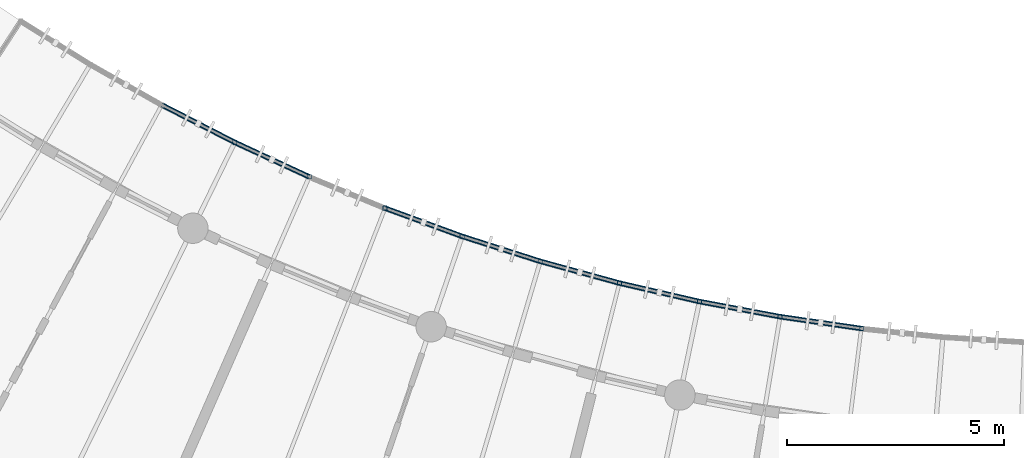
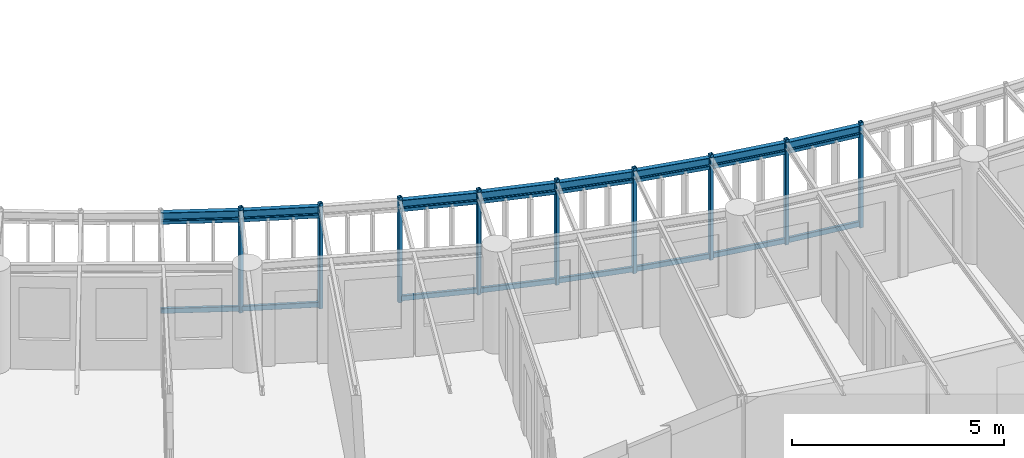
# One storey, part 20 of 137: 25 members, 8 beams.
"""IFC4 building model written with IfcOpenShell, lengths in metres."""

from ifc_helpers import new_model, si_unit, direction, frame, origin, origin_2d, place, context, subcontext, project, spatial, hollow_rectangle, i_section, extrude, material, material_profile, profile_set, type_object, element, save


model = new_model("IFC4")

# Units and contexts
model_context = context("Model", 3, precision=1e-05, world=origin(), true_north=direction((0.0, 1.0)))
body_context = subcontext(model_context, "Body", "Model", "MODEL_VIEW")
ifc_project = project(units=[si_unit("LENGTHUNIT", "METRE"), si_unit("AREAUNIT", "SQUARE_METRE"), si_unit("VOLUMEUNIT", "CUBIC_METRE"), si_unit("PLANEANGLEUNIT", "RADIAN"), si_unit("MASSUNIT", "GRAM", prefix="KILO"), si_unit("POWERUNIT", "WATT"), si_unit("THERMODYNAMICTEMPERATUREUNIT", "KELVIN")], contexts=[model_context])

# Site, building, storey
site_placement = place(None, origin())
site = spatial("IfcSite", under=ifc_project, at=site_placement, CompositionType="ELEMENT")
building_placement = place(site_placement, origin())
building = spatial("IfcBuilding", under=site, at=building_placement, Name="Ruvembo Vaulted Housing Court", CompositionType="ELEMENT")
storey_placement = place(building_placement, frame((0.0, 0.0, 4.5)))
storey = spatial("IfcBuildingStorey", under=building, at=storey_placement, Name="L01", CompositionType="ELEMENT", Elevation=4.5)

# Beams
ifc_material = material(Name="Steel S355J2", Category="steel")
ifc_material_profile_1 = material_profile(ifc_material, i_section(OverallWidth=0.1201171875, OverallDepth=0.239990234375, WebThickness=0.006103515625, FlangeThickness=0.009765625, FilletRadius=0.014892578125, at=origin_2d()), Name="IPE 240")
ifc_profile_set_1 = profile_set([ifc_material_profile_1], Name="Steel S355J2")
beam_type = type_object("IfcBeamType", Name="BM-ST-IPE240", PredefinedType="BEAM", material=ifc_profile_set_1)
for number, where, z_axis, x_axis, name in (
    (1, (47.241943359375, 21.6982421875, 2.820068359375), (0.889568437347, -0.45680192127, 0.0), (0.45680192127, 0.889568437347, 0.0), "Scoop SC2 L01 Balcony Edge Spandrel 2"),
    (2, (48.922607421875, 20.835205078125, 2.820068359375), (0.907656578832, -0.419713634403, 0.0), (0.419713634403, 0.907656578832, 0.0), "Scoop SC2 L01 Balcony Edge Spandrel 3"),
    (3, (52.38330078125, 19.320556640625, 2.820068359375), (0.939165556371, -0.343464783824, 0.0), (0.343464783824, 0.939165556371, 0.0), "Scoop SC2 L01 Balcony Edge Spandrel 5"),
):
    element("IfcBeam", number, at=place(storey_placement, frame(where, z_axis=z_axis, x_axis=x_axis)), inside=storey, type_object=beam_type, Name=name, PredefinedType="BEAM", context=body_context, shape_type="SweptSolid", body=[
        extrude(i_section(OverallWidth=0.1201171875, OverallDepth=0.239990234375, WebThickness=0.006103515625, FlangeThickness=0.009765625, FilletRadius=0.014892578125, at=origin_2d()), origin(), (0.0, 0.0, 1.0), 1.889404296875),
    ])
beam_1_placement = place(storey_placement, frame((54.15771484375, 18.671630859375, 2.820068359375), z_axis=(0.952526124364, -0.304456864605, 0.0), x_axis=(0.304456864605, 0.952526124364, 0.0)))
element("IfcBeam", 4, at=beam_1_placement, inside=storey, type_object=beam_type, Name="Scoop SC2 L01 Balcony Edge Spandrel 6", PredefinedType="BEAM", context=body_context, shape_type="SweptSolid", body=[
    extrude(i_section(OverallWidth=0.1201171875, OverallDepth=0.239990234375, WebThickness=0.006103515625, FlangeThickness=0.009765625, FilletRadius=0.014892578125, at=origin_2d()), origin(), (0.0, 0.0, 1.0), 1.88916015625),
])
beam_2_placement = place(storey_placement, frame((55.957275390625, 18.096435546875, 2.820068359375), z_axis=(0.964240073493, -0.26503033915, 0.0), x_axis=(0.26503033915, 0.964240073493, 0.0)))
element("IfcBeam", 5, at=beam_2_placement, inside=storey, type_object=beam_type, Name="Scoop SC2 L01 Balcony Edge Spandrel 7", PredefinedType="BEAM", context=body_context, shape_type="SweptSolid", body=[
    extrude(i_section(OverallWidth=0.1201171875, OverallDepth=0.239990234375, WebThickness=0.006103515625, FlangeThickness=0.009765625, FilletRadius=0.014892578125, at=origin_2d()), origin(), (0.0, 0.0, 1.0), 1.889404296875),
])
beam_3_placement = place(storey_placement, frame((57.779052734375, 17.595703125, 2.820068359375), z_axis=(0.974391195695, -0.224859506699, 0.0), x_axis=(0.224859506699, 0.974391195695, 0.0)))
element("IfcBeam", 6, at=beam_3_placement, inside=storey, type_object=beam_type, Name="Scoop SC2 L01 Balcony Edge Spandrel 8", PredefinedType="BEAM", context=body_context, shape_type="SweptSolid", body=[
    extrude(i_section(OverallWidth=0.1201171875, OverallDepth=0.239990234375, WebThickness=0.006103515625, FlangeThickness=0.009765625, FilletRadius=0.014892578125, at=origin_2d()), origin(), (0.0, 0.0, 1.0), 1.88916015625),
])
beam_4_placement = place(storey_placement, frame((59.619873046875, 17.1708984375, 2.820068359375), z_axis=(0.982804832401, -0.184647397515, 0.0), x_axis=(0.184647397515, 0.982804832401, 0.0)))
element("IfcBeam", 7, at=beam_4_placement, inside=storey, type_object=beam_type, Name="Scoop SC2 L01 Balcony Edge Spandrel 9", PredefinedType="BEAM", context=body_context, shape_type="SweptSolid", body=[
    extrude(i_section(OverallWidth=0.1201171875, OverallDepth=0.239990234375, WebThickness=0.006103515625, FlangeThickness=0.009765625, FilletRadius=0.014892578125, at=origin_2d()), origin(), (0.0, 0.0, 1.0), 1.889404296875),
])
beam_5_placement = place(storey_placement, frame((61.476806640625, 16.822021484375, 2.820068359375), z_axis=(0.989600158039, -0.143845497701, 0.0), x_axis=(0.143845497701, 0.989600158039, 0.0)))
element("IfcBeam", 8, at=beam_5_placement, inside=storey, type_object=beam_type, Name="Scoop SC2 L01 Balcony Edge Spandrel 10", PredefinedType="BEAM", context=body_context, shape_type="SweptSolid", body=[
    extrude(i_section(OverallWidth=0.1201171875, OverallDepth=0.239990234375, WebThickness=0.006103515625, FlangeThickness=0.009765625, FilletRadius=0.014892578125, at=origin_2d()), origin(), (0.0, 0.0, 1.0), 1.888916015625),
])

# Members
ifc_material_profile_2 = material_profile(ifc_material, hollow_rectangle(XDim=0.06005859375, YDim=0.1201171875, WallThickness=0.0048828125, InnerFilletRadius=0.0048828125, OuterFilletRadius=0.010009765625, at=origin_2d()), Name="RHS 120x60x5")
ifc_profile_set_2 = profile_set([ifc_material_profile_2], Name="Steel S355J2")
member_type_1 = type_object("IfcMemberType", Name="MEM-CAR-RHS120", PredefinedType="CHORD", material=ifc_profile_set_2)
for number, where, z_axis, x_axis, name in (
    (9, (47.241943359375, 21.6982421875, 2.64306640625), (0.889568437347, -0.45680192127, 0.0), (0.45680192127, 0.889568437347, 0.0), "Scoop SC2 L01 Upper Louvre Carrier Rail 2"),
    (10, (48.922607421875, 20.835205078125, 2.64306640625), (0.907656578832, -0.419713634403, 0.0), (0.419713634403, 0.907656578832, 0.0), "Scoop SC2 L01 Upper Louvre Carrier Rail 3"),
    (11, (52.38330078125, 19.320556640625, 2.64306640625), (0.939165556371, -0.343464783824, 0.0), (0.343464783824, 0.939165556371, 0.0), "Scoop SC2 L01 Upper Louvre Carrier Rail 5"),
):
    element("IfcMember", number, at=place(storey_placement, frame(where, z_axis=z_axis, x_axis=x_axis)), inside=storey, type_object=member_type_1, Name=name, PredefinedType="CHORD", context=body_context, shape_type="SweptSolid", body=[
        extrude(hollow_rectangle(XDim=0.06005859375, YDim=0.1201171875, WallThickness=0.0048828125, InnerFilletRadius=0.0048828125, OuterFilletRadius=0.010009765625, at=origin_2d()), origin(), (0.0, 0.0, 1.0), 1.889404296875),
    ])
member_1_placement = place(storey_placement, frame((54.15771484375, 18.671630859375, 2.64306640625), z_axis=(0.952526124364, -0.304456864605, 0.0), x_axis=(0.304456864605, 0.952526124364, 0.0)))
element("IfcMember", 12, at=member_1_placement, inside=storey, type_object=member_type_1, Name="Scoop SC2 L01 Upper Louvre Carrier Rail 6", PredefinedType="CHORD", context=body_context, shape_type="SweptSolid", body=[
    extrude(hollow_rectangle(XDim=0.06005859375, YDim=0.1201171875, WallThickness=0.0048828125, InnerFilletRadius=0.0048828125, OuterFilletRadius=0.010009765625, at=origin_2d()), origin(), (0.0, 0.0, 1.0), 1.88916015625),
])
member_2_placement = place(storey_placement, frame((55.957275390625, 18.096435546875, 2.64306640625), z_axis=(0.964240073493, -0.26503033915, 0.0), x_axis=(0.26503033915, 0.964240073493, 0.0)))
element("IfcMember", 13, at=member_2_placement, inside=storey, type_object=member_type_1, Name="Scoop SC2 L01 Upper Louvre Carrier Rail 7", PredefinedType="CHORD", context=body_context, shape_type="SweptSolid", body=[
    extrude(hollow_rectangle(XDim=0.06005859375, YDim=0.1201171875, WallThickness=0.0048828125, InnerFilletRadius=0.0048828125, OuterFilletRadius=0.010009765625, at=origin_2d()), origin(), (0.0, 0.0, 1.0), 1.889404296875),
])
member_3_placement = place(storey_placement, frame((57.779052734375, 17.595703125, 2.64306640625), z_axis=(0.974391195695, -0.224859506699, 0.0), x_axis=(0.224859506699, 0.974391195695, 0.0)))
element("IfcMember", 14, at=member_3_placement, inside=storey, type_object=member_type_1, Name="Scoop SC2 L01 Upper Louvre Carrier Rail 8", PredefinedType="CHORD", context=body_context, shape_type="SweptSolid", body=[
    extrude(hollow_rectangle(XDim=0.06005859375, YDim=0.1201171875, WallThickness=0.0048828125, InnerFilletRadius=0.0048828125, OuterFilletRadius=0.010009765625, at=origin_2d()), origin(), (0.0, 0.0, 1.0), 1.88916015625),
])
member_4_placement = place(storey_placement, frame((59.619873046875, 17.1708984375, 2.64306640625), z_axis=(0.982804832401, -0.184647397515, 0.0), x_axis=(0.184647397515, 0.982804832401, 0.0)))
element("IfcMember", 15, at=member_4_placement, inside=storey, type_object=member_type_1, Name="Scoop SC2 L01 Upper Louvre Carrier Rail 9", PredefinedType="CHORD", context=body_context, shape_type="SweptSolid", body=[
    extrude(hollow_rectangle(XDim=0.06005859375, YDim=0.1201171875, WallThickness=0.0048828125, InnerFilletRadius=0.0048828125, OuterFilletRadius=0.010009765625, at=origin_2d()), origin(), (0.0, 0.0, 1.0), 1.889404296875),
])
member_5_placement = place(storey_placement, frame((61.476806640625, 16.822021484375, 2.64306640625), z_axis=(0.989600158039, -0.143845497701, 0.0), x_axis=(0.143845497701, 0.989600158039, 0.0)))
element("IfcMember", 16, at=member_5_placement, inside=storey, type_object=member_type_1, Name="Scoop SC2 L01 Upper Louvre Carrier Rail 10", PredefinedType="CHORD", context=body_context, shape_type="SweptSolid", body=[
    extrude(hollow_rectangle(XDim=0.06005859375, YDim=0.1201171875, WallThickness=0.0048828125, InnerFilletRadius=0.0048828125, OuterFilletRadius=0.010009765625, at=origin_2d()), origin(), (0.0, 0.0, 1.0), 1.888916015625),
])
ifc_material_profile_3 = material_profile(ifc_material, hollow_rectangle(XDim=0.080078125, YDim=0.14990234375, WallThickness=0.00634765625, InnerFilletRadius=0.00634765625, OuterFilletRadius=0.0126953125, at=origin_2d()), Name="RHS 150x80x6.3")
ifc_profile_set_3 = profile_set([ifc_material_profile_3], Name="Steel S355J2")
member_type_2 = type_object("IfcMemberType", Name="MEM-CAR-RHS150", PredefinedType="CHORD", material=ifc_profile_set_3)
for number, where, z_axis, x_axis, name in (
    (17, (47.241943359375, 21.6982421875, 0.094970703125), (0.889568437347, -0.45680192127, 0.0), (0.45680192127, 0.889568437347, 0.0), "Scoop SC2 L01 Lower Louvre Carrier Rail 2"),
    (18, (48.922607421875, 20.835205078125, 0.094970703125), (0.907656578832, -0.419713634403, 0.0), (0.419713634403, 0.907656578832, 0.0), "Scoop SC2 L01 Lower Louvre Carrier Rail 3"),
    (19, (52.38330078125, 19.320556640625, 0.094970703125), (0.939165556371, -0.343464783824, 0.0), (0.343464783824, 0.939165556371, 0.0), "Scoop SC2 L01 Lower Louvre Carrier Rail 5"),
):
    element("IfcMember", number, at=place(storey_placement, frame(where, z_axis=z_axis, x_axis=x_axis)), inside=storey, type_object=member_type_2, Name=name, PredefinedType="CHORD", context=body_context, shape_type="SweptSolid", body=[
        extrude(hollow_rectangle(XDim=0.080078125, YDim=0.14990234375, WallThickness=0.00634765625, InnerFilletRadius=0.00634765625, OuterFilletRadius=0.0126953125, at=origin_2d()), origin(), (0.0, 0.0, 1.0), 1.889404296875),
    ])
member_6_placement = place(storey_placement, frame((54.15771484375, 18.671630859375, 0.094970703125), z_axis=(0.952526124364, -0.304456864605, 0.0), x_axis=(0.304456864605, 0.952526124364, 0.0)))
element("IfcMember", 20, at=member_6_placement, inside=storey, type_object=member_type_2, Name="Scoop SC2 L01 Lower Louvre Carrier Rail 6", PredefinedType="CHORD", context=body_context, shape_type="SweptSolid", body=[
    extrude(hollow_rectangle(XDim=0.080078125, YDim=0.14990234375, WallThickness=0.00634765625, InnerFilletRadius=0.00634765625, OuterFilletRadius=0.0126953125, at=origin_2d()), origin(), (0.0, 0.0, 1.0), 1.88916015625),
])
member_7_placement = place(storey_placement, frame((55.957275390625, 18.096435546875, 0.094970703125), z_axis=(0.964240073493, -0.26503033915, 0.0), x_axis=(0.26503033915, 0.964240073493, 0.0)))
element("IfcMember", 21, at=member_7_placement, inside=storey, type_object=member_type_2, Name="Scoop SC2 L01 Lower Louvre Carrier Rail 7", PredefinedType="CHORD", context=body_context, shape_type="SweptSolid", body=[
    extrude(hollow_rectangle(XDim=0.080078125, YDim=0.14990234375, WallThickness=0.00634765625, InnerFilletRadius=0.00634765625, OuterFilletRadius=0.0126953125, at=origin_2d()), origin(), (0.0, 0.0, 1.0), 1.889404296875),
])
member_8_placement = place(storey_placement, frame((57.779052734375, 17.595703125, 0.094970703125), z_axis=(0.974391195695, -0.224859506699, 0.0), x_axis=(0.224859506699, 0.974391195695, 0.0)))
element("IfcMember", 22, at=member_8_placement, inside=storey, type_object=member_type_2, Name="Scoop SC2 L01 Lower Louvre Carrier Rail 8", PredefinedType="CHORD", context=body_context, shape_type="SweptSolid", body=[
    extrude(hollow_rectangle(XDim=0.080078125, YDim=0.14990234375, WallThickness=0.00634765625, InnerFilletRadius=0.00634765625, OuterFilletRadius=0.0126953125, at=origin_2d()), origin(), (0.0, 0.0, 1.0), 1.88916015625),
])
member_9_placement = place(storey_placement, frame((59.619873046875, 17.1708984375, 0.094970703125), z_axis=(0.982804832401, -0.184647397515, 0.0), x_axis=(0.184647397515, 0.982804832401, 0.0)))
element("IfcMember", 23, at=member_9_placement, inside=storey, type_object=member_type_2, Name="Scoop SC2 L01 Lower Louvre Carrier Rail 9", PredefinedType="CHORD", context=body_context, shape_type="SweptSolid", body=[
    extrude(hollow_rectangle(XDim=0.080078125, YDim=0.14990234375, WallThickness=0.00634765625, InnerFilletRadius=0.00634765625, OuterFilletRadius=0.0126953125, at=origin_2d()), origin(), (0.0, 0.0, 1.0), 1.889404296875),
])
member_10_placement = place(storey_placement, frame((61.476806640625, 16.822021484375, 0.094970703125), z_axis=(0.989600158039, -0.143845497701, 0.0), x_axis=(0.143845497701, 0.989600158039, 0.0)))
element("IfcMember", 24, at=member_10_placement, inside=storey, type_object=member_type_2, Name="Scoop SC2 L01 Lower Louvre Carrier Rail 10", PredefinedType="CHORD", context=body_context, shape_type="SweptSolid", body=[
    extrude(hollow_rectangle(XDim=0.080078125, YDim=0.14990234375, WallThickness=0.00634765625, InnerFilletRadius=0.00634765625, OuterFilletRadius=0.0126953125, at=origin_2d()), origin(), (0.0, 0.0, 1.0), 1.888916015625),
])
ifc_material_profile_4 = material_profile(ifc_material, hollow_rectangle(XDim=0.10009765625, YDim=0.10009765625, WallThickness=0.00634765625, InnerFilletRadius=0.00634765625, OuterFilletRadius=0.0126953125, at=origin_2d()), Name="SHS 100x100x6.3")
ifc_profile_set_4 = profile_set([ifc_material_profile_4], Name="Steel S355J2")
member_type_3 = type_object("IfcMemberType", Name="MEM-FRM-SHS100", PredefinedType="STRUT", material=ifc_profile_set_4)
for number, where, z_axis, x_axis, name in (
    (25, (48.922607421875, 20.835205078125, -0.014892578125), (0.0, 0.0, 1.0), (1.0, 0.0, 0.0), "Scoop SC2 L01 Louvre Frame Post 3"),
    (26, (50.637451171875, 20.042236328125, -0.014892578125), (0.0, 0.0, 1.0), (1.0, 0.0, 0.0), "Scoop SC2 L01 Louvre Frame Post 4"),
    (27, (52.38330078125, 19.320556640625, -0.014892578125), (0.0, 0.0, 1.0), (1.0, 0.0, 0.0), "Scoop SC2 L01 Louvre Frame Post 5"),
    (28, (54.15771484375, 18.671630859375, -0.014892578125), (0.0, 0.0, 1.0), (1.0, 0.0, 0.0), "Scoop SC2 L01 Louvre Frame Post 6"),
    (29, (55.957275390625, 18.096435546875, -0.014892578125), (0.0, 0.0, 1.0), (1.0, 0.0, 0.0), "Scoop SC2 L01 Louvre Frame Post 7"),
    (30, (57.779052734375, 17.595703125, -0.014892578125), (0.0, 0.0, 1.0), (1.0, 0.0, 0.0), "Scoop SC2 L01 Louvre Frame Post 8"),
    (31, (59.619873046875, 17.1708984375, -0.014892578125), (0.0, 0.0, 1.0), (1.0, 0.0, 0.0), "Scoop SC2 L01 Louvre Frame Post 9"),
    (32, (61.476806640625, 16.822021484375, -0.014892578125), (0.0, 0.0, 1.0), (1.0, 0.0, 0.0), "Scoop SC2 L01 Louvre Frame Post 10"),
    (33, (63.34619140625, 16.55029296875, -0.014892578125), (0.0, 0.0, 1.0), (1.0, 0.0, 0.0), "Scoop SC2 L01 Louvre Frame Post 11"),
):
    element("IfcMember", number, at=place(storey_placement, frame(where, z_axis=z_axis, x_axis=x_axis)), inside=storey, type_object=member_type_3, Name=name, PredefinedType="STRUT", context=body_context, shape_type="SweptSolid", body=[
        extrude(hollow_rectangle(XDim=0.10009765625, YDim=0.10009765625, WallThickness=0.00634765625, InnerFilletRadius=0.00634765625, OuterFilletRadius=0.0126953125, at=origin_2d()), origin(), (0.0, 0.0, 1.0), 3.032958984375),
    ])

save(model, "model.ifc")
